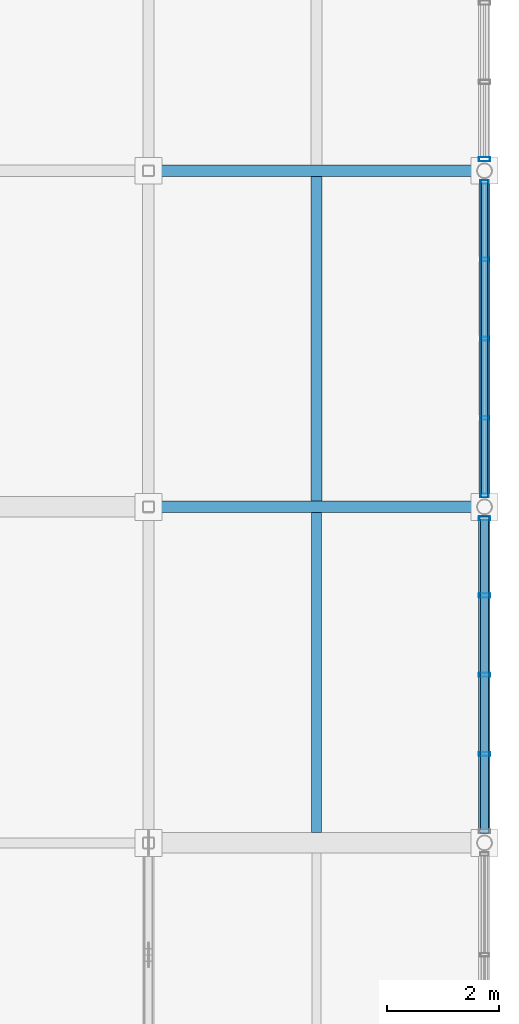
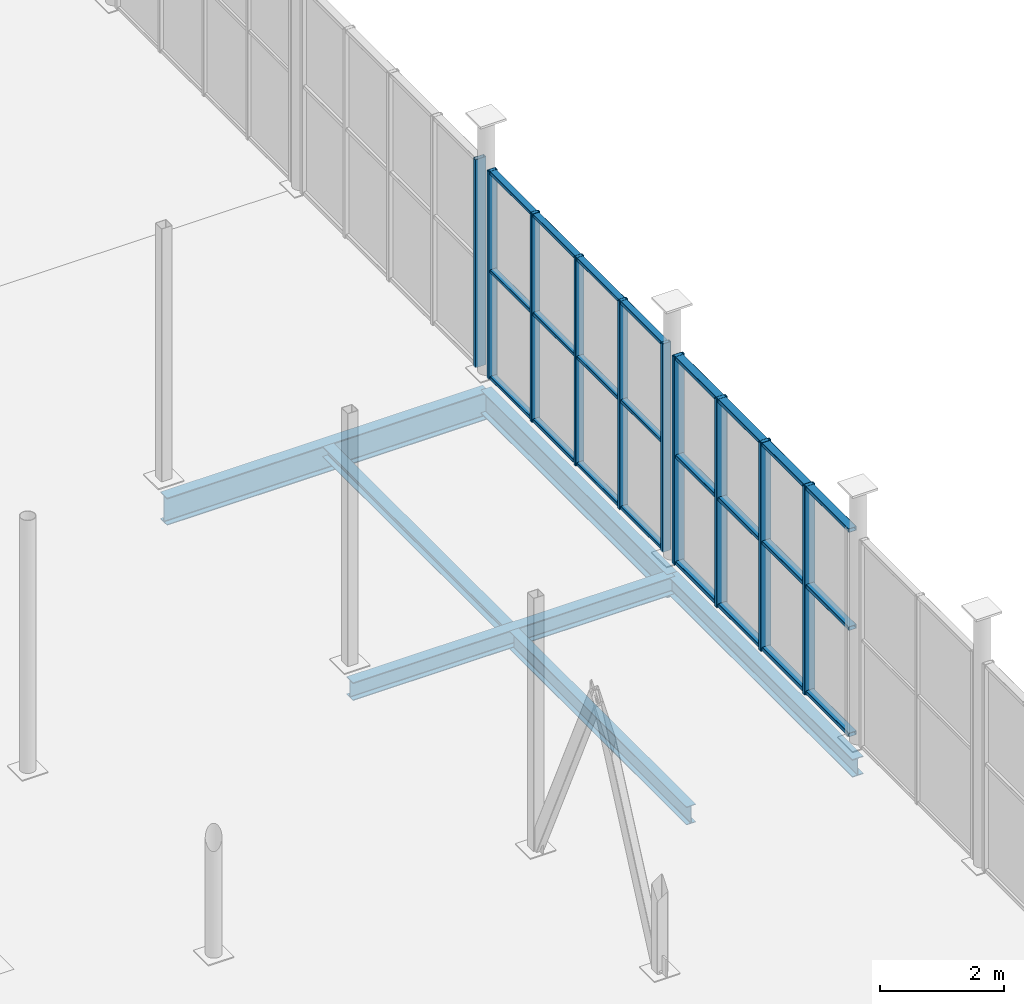
# One storey, part 13 of 27: 16 members, 6 beams, 3 elements without a shape of their own.
"""IFC4 building model written with IfcOpenShell, lengths in metres."""

from ifc_helpers import new_model, si_unit, direction, frame, origin, origin_2d, place, context, subcontext, project, spatial, hollow_rectangle, i_section, extrude, material, material_profile, profile_set, type_object, element, aggregate, save


model = new_model("IFC4")

# Units and contexts
model_context = context("Model", 3, precision=1e-05, world=origin(), true_north=direction((0.0, 1.0)))
body_context = subcontext(model_context, "Body", "Model", "MODEL_VIEW")
ifc_project = project(units=[si_unit("LENGTHUNIT", "METRE"), si_unit("AREAUNIT", "SQUARE_METRE"), si_unit("VOLUMEUNIT", "CUBIC_METRE"), si_unit("PLANEANGLEUNIT", "RADIAN"), si_unit("MASSUNIT", "GRAM", prefix="KILO")], contexts=[model_context])

# Site, building, storey
site_placement = place(None, origin())
site = spatial("IfcSite", under=ifc_project, at=site_placement, CompositionType="ELEMENT")
building_placement = place(site_placement, origin())
building = spatial("IfcBuilding", under=site, at=building_placement, Name="Verrall Gate Interchange", CompositionType="ELEMENT")
storey_placement = place(building_placement, frame((0.0, 0.0, 23.60009765625)))
storey = spatial("IfcBuildingStorey", under=building, at=storey_placement, Name="L06", CompositionType="ELEMENT", Elevation=23.60009765625)

# Beams
ifc_material_1 = material(Name="Structural Steel CSA G40.21 350W", Category="steel")
ifc_material_profile_1 = material_profile(ifc_material_1, i_section(OverallWidth=0.2109375, OverallDepth=0.5390625, WebThickness=0.01171875, FlangeThickness=0.018798828125, FilletRadius=0.013916015625, at=origin_2d()), Name="W530x109")
ifc_profile_set_1 = profile_set([ifc_material_profile_1], Name="Structural Steel CSA G40.21 350W")
beam_type_1 = type_object("IfcBeamType", Name="B-10 Structural Beam W530x109", PredefinedType="BEAM", material=ifc_profile_set_1)
beam_1_placement = place(storey_placement, frame((30.0, 28.0, -0.599609375), z_axis=(1.0, 0.0, 0.0), x_axis=(0.0, 1.0, 0.0)))
element("IfcBeam", 1, at=beam_1_placement, inside=storey, type_object=beam_type_1, Name="L06 Girder BM-L06-3080 (B-10)", PredefinedType="BEAM", context=body_context, shape_type="SweptSolid", body=[
    extrude(i_section(OverallWidth=0.2109375, OverallDepth=0.5390625, WebThickness=0.01171875, FlangeThickness=0.018798828125, FilletRadius=0.013916015625, at=origin_2d()), origin(), (0.0, 0.0, 1.0), 6.0),
])
ifc_material_2 = material(Name="Structural Steel CSA G40.21 350W", Category="steel")
ifc_material_profile_2 = material_profile(ifc_material_2, i_section(OverallWidth=0.19189453125, OverallDepth=0.462890625, WebThickness=0.010498046875, FlangeThickness=0.017578125, FilletRadius=0.012939453125, at=origin_2d()), Name="W460x89")
ifc_profile_set_2 = profile_set([ifc_material_profile_2], Name="Structural Steel CSA G40.21 350W")
beam_type_2 = type_object("IfcBeamType", Name="B-11 Structural Beam W460x89", PredefinedType="BEAM", material=ifc_profile_set_2)
beam_2_placement = place(storey_placement, frame((36.0, 22.0, -0.5615234375), z_axis=(0.0, 1.0, 0.0), x_axis=(-1.0, 0.0, 0.0)))
element("IfcBeam", 2, at=beam_2_placement, inside=storey, type_object=beam_type_2, Name="L06 Girder BM-L06-3177 (B-11)", PredefinedType="BEAM", context=body_context, shape_type="SweptSolid", body=[
    extrude(i_section(OverallWidth=0.19189453125, OverallDepth=0.462890625, WebThickness=0.010498046875, FlangeThickness=0.017578125, FilletRadius=0.012939453125, at=origin_2d()), origin(), (0.0, 0.0, 1.0), 6.0),
])
ifc_material_3 = material(Name="Structural Steel CSA G40.21 350W", Category="steel")
ifc_material_profile_3 = material_profile(ifc_material_3, i_section(OverallWidth=0.205078125, OverallDepth=0.35400390625, WebThickness=0.009521484375, FlangeThickness=0.016845703125, FilletRadius=0.012939453125, at=origin_2d()), Name="W360x79")
ifc_profile_set_3 = profile_set([ifc_material_profile_3], Name="Structural Steel CSA G40.21 350W")
beam_type_3 = type_object("IfcBeamType", Name="B-14 Structural Beam W360x79", PredefinedType="BEAM", material=ifc_profile_set_3)
for number, where, z_axis, x_axis, name in (
    (3, (30.0, 22.0, -0.507080078125), (1.0, 0.0, 0.0), (0.0, 1.0, 0.0), "L06 Girder BM-L06-3074 (B-14)"),
    (4, (36.0, 16.0, -0.507080078125), (0.0, 1.0, 0.0), (-1.0, 0.0, 0.0), "L06 Girder BM-L06-3176 (B-14)"),
):
    element("IfcBeam", number, at=place(storey_placement, frame(where, z_axis=z_axis, x_axis=x_axis)), inside=storey, type_object=beam_type_3, Name=name, PredefinedType="BEAM", context=body_context, shape_type="SweptSolid", body=[
        extrude(i_section(OverallWidth=0.205078125, OverallDepth=0.35400390625, WebThickness=0.009521484375, FlangeThickness=0.016845703125, FilletRadius=0.012939453125, at=origin_2d()), origin(), (0.0, 0.0, 1.0), 6.0),
    ])

# Curtain wall, members
ifc_material_4 = material(Name="Thermally Broken Anodized Aluminium Curtain Wall Framing", Category="aluminium")
curtain_wall_type = type_object("IfcCurtainWallType", Name="CW-45 Unitized Curtain Wall 5698x4100", PredefinedType="NOTDEFINED", material=ifc_material_4)
curtain_wall_1_placement = place(storey_placement, origin())
curtain_wall_1 = element("IfcCurtainWall", 5, at=curtain_wall_1_placement, inside=storey, type_object=curtain_wall_type, Name="L06 Unitized Curtain Wall CW-L06-146", PredefinedType="NOTDEFINED")
ifc_material_5 = material(Name="Thermally Broken Anodized Aluminium Curtain Wall Framing", Category="aluminium")
ifc_material_profile_4 = material_profile(ifc_material_5, hollow_rectangle(XDim=0.06494140625, YDim=0.159912109375, WallThickness=0.00390625, InnerFilletRadius=0.00390625, OuterFilletRadius=0.008056640625, at=origin_2d()), Name="CWM160x65x4")
ifc_profile_set_4 = profile_set([ifc_material_profile_4], Name="Thermally Broken Anodized Aluminium Curtain Wall Framing")
member_type_1 = type_object("IfcMemberType", Name="CM-01 Curtain Mullion CWM160x65x4", PredefinedType="MULLION", material=ifc_profile_set_4)
member_1_placement = place(storey_placement, frame((36.0, 22.201171875, 0.0), z_axis=(0.0, 0.0, 1.0), x_axis=(0.0, 1.0, 0.0)))
member_1 = element("IfcMember", 6, at=member_1_placement, type_object=member_type_1, Name="CW-L06-146 Mullion 1", PredefinedType="MULLION", context=body_context, shape_type="SweptSolid", body=[
    extrude(hollow_rectangle(XDim=0.06494140625, YDim=0.159912109375, WallThickness=0.00390625, InnerFilletRadius=0.00390625, OuterFilletRadius=0.008056640625, at=origin_2d()), origin(), (0.0, 0.0, 1.0), 4.099853515625),
])
member_2_placement = place(storey_placement, frame((36.0, 23.584228515625, 0.0), z_axis=(0.0, 0.0, 1.0), x_axis=(0.0, 1.0, 0.0)))
member_2 = element("IfcMember", 7, at=member_2_placement, type_object=member_type_1, Name="CW-L06-146 Mullion 2", PredefinedType="MULLION", context=body_context, shape_type="SweptSolid", body=[
    extrude(hollow_rectangle(XDim=0.06494140625, YDim=0.159912109375, WallThickness=0.00390625, InnerFilletRadius=0.00390625, OuterFilletRadius=0.008056640625, at=origin_2d()), origin(), (0.0, 0.0, 1.0), 4.099853515625),
])
member_3_placement = place(storey_placement, frame((36.0, 25.0, 0.0), z_axis=(0.0, 0.0, 1.0), x_axis=(0.0, 1.0, 0.0)))
member_3 = element("IfcMember", 8, at=member_3_placement, type_object=member_type_1, Name="CW-L06-146 Mullion 3", PredefinedType="MULLION", context=body_context, shape_type="SweptSolid", body=[
    extrude(hollow_rectangle(XDim=0.06494140625, YDim=0.159912109375, WallThickness=0.00390625, InnerFilletRadius=0.00390625, OuterFilletRadius=0.008056640625, at=origin_2d()), origin(), (0.0, 0.0, 1.0), 4.099853515625),
])
member_4_placement = place(storey_placement, frame((36.0, 26.415771484375, 0.0), z_axis=(0.0, 0.0, 1.0), x_axis=(0.0, 1.0, 0.0)))
member_4 = element("IfcMember", 9, at=member_4_placement, type_object=member_type_1, Name="CW-L06-146 Mullion 4", PredefinedType="MULLION", context=body_context, shape_type="SweptSolid", body=[
    extrude(hollow_rectangle(XDim=0.06494140625, YDim=0.159912109375, WallThickness=0.00390625, InnerFilletRadius=0.00390625, OuterFilletRadius=0.008056640625, at=origin_2d()), origin(), (0.0, 0.0, 1.0), 4.099853515625),
])
member_5_placement = place(storey_placement, frame((36.0, 27.798828125, 0.0), z_axis=(0.0, 0.0, 1.0), x_axis=(0.0, 1.0, 0.0)))
member_5 = element("IfcMember", 10, at=member_5_placement, type_object=member_type_1, Name="CW-L06-146 Mullion 5", PredefinedType="MULLION", context=body_context, shape_type="SweptSolid", body=[
    extrude(hollow_rectangle(XDim=0.06494140625, YDim=0.159912109375, WallThickness=0.00390625, InnerFilletRadius=0.00390625, OuterFilletRadius=0.008056640625, at=origin_2d()), origin(), (0.0, 0.0, 1.0), 4.099853515625),
])

curtain_wall_2_placement = place(storey_placement, origin())
curtain_wall_2 = element("IfcCurtainWall", 11, at=curtain_wall_2_placement, inside=storey, type_object=curtain_wall_type, Name="L06 Unitized Curtain Wall CW-L06-145", PredefinedType="NOTDEFINED")
ifc_material_6 = material(Name="Thermally Broken Anodized Aluminium Curtain Wall Framing", Category="aluminium")
ifc_material_profile_5 = material_profile(ifc_material_6, hollow_rectangle(XDim=0.074951171875, YDim=0.199951171875, WallThickness=0.0048828125, InnerFilletRadius=0.0048828125, OuterFilletRadius=0.010009765625, at=origin_2d()), Name="CWM200x75x5")
ifc_profile_set_5 = profile_set([ifc_material_profile_5], Name="Thermally Broken Anodized Aluminium Curtain Wall Framing")
member_type_2 = type_object("IfcMemberType", Name="CM-02 Curtain Mullion CWM200x75x5", PredefinedType="MULLION", material=ifc_profile_set_5)
member_6_placement = place(storey_placement, frame((36.0, 17.584228515625, 0.0), z_axis=(0.0, 0.0, 1.0), x_axis=(0.0, 1.0, 0.0)))
member_6 = element("IfcMember", 12, at=member_6_placement, type_object=member_type_2, Name="CW-L06-145 Mullion 2", PredefinedType="MULLION", context=body_context, shape_type="SweptSolid", body=[
    extrude(hollow_rectangle(XDim=0.074951171875, YDim=0.199951171875, WallThickness=0.0048828125, InnerFilletRadius=0.0048828125, OuterFilletRadius=0.010009765625, at=origin_2d()), origin(), (0.0, 0.0, 1.0), 4.099853515625),
])
member_7_placement = place(storey_placement, frame((36.0, 19.0, 0.0), z_axis=(0.0, 0.0, 1.0), x_axis=(0.0, 1.0, 0.0)))
member_7 = element("IfcMember", 13, at=member_7_placement, type_object=member_type_2, Name="CW-L06-145 Mullion 3", PredefinedType="MULLION", context=body_context, shape_type="SweptSolid", body=[
    extrude(hollow_rectangle(XDim=0.074951171875, YDim=0.199951171875, WallThickness=0.0048828125, InnerFilletRadius=0.0048828125, OuterFilletRadius=0.010009765625, at=origin_2d()), origin(), (0.0, 0.0, 1.0), 4.099853515625),
])
member_8_placement = place(storey_placement, frame((36.0, 20.415771484375, 0.0), z_axis=(0.0, 0.0, 1.0), x_axis=(0.0, 1.0, 0.0)))
member_8 = element("IfcMember", 14, at=member_8_placement, type_object=member_type_2, Name="CW-L06-145 Mullion 4", PredefinedType="MULLION", context=body_context, shape_type="SweptSolid", body=[
    extrude(hollow_rectangle(XDim=0.074951171875, YDim=0.199951171875, WallThickness=0.0048828125, InnerFilletRadius=0.0048828125, OuterFilletRadius=0.010009765625, at=origin_2d()), origin(), (0.0, 0.0, 1.0), 4.099853515625),
])
member_9_placement = place(storey_placement, frame((36.0, 21.7939453125, 0.0), z_axis=(0.0, 0.0, 1.0), x_axis=(0.0, 1.0, 0.0)))
member_9 = element("IfcMember", 15, at=member_9_placement, type_object=member_type_2, Name="CW-L06-145 Mullion 5", PredefinedType="MULLION", context=body_context, shape_type="SweptSolid", body=[
    extrude(hollow_rectangle(XDim=0.074951171875, YDim=0.199951171875, WallThickness=0.0048828125, InnerFilletRadius=0.0048828125, OuterFilletRadius=0.010009765625, at=origin_2d()), origin(), (0.0, 0.0, 1.0), 4.099853515625),
])

# Curtain wall, member
curtain_wall_3_placement = place(storey_placement, origin())
curtain_wall_3 = element("IfcCurtainWall", 16, at=curtain_wall_3_placement, inside=storey, type_object=curtain_wall_type, Name="L06 Unitized Curtain Wall CW-L06-147", PredefinedType="NOTDEFINED")
member_10_placement = place(storey_placement, frame((36.0, 28.2060546875, 0.0), z_axis=(0.0, 0.0, 1.0), x_axis=(0.0, 1.0, 0.0)))
member_10 = element("IfcMember", 17, at=member_10_placement, type_object=member_type_2, Name="CW-L06-147 Mullion 1", PredefinedType="MULLION", context=body_context, shape_type="SweptSolid", body=[
    extrude(hollow_rectangle(XDim=0.074951171875, YDim=0.199951171875, WallThickness=0.0048828125, InnerFilletRadius=0.0048828125, OuterFilletRadius=0.010009765625, at=origin_2d()), origin(), (0.0, 0.0, 1.0), 4.099853515625),
])
aggregate(curtain_wall_3, [member_10])

# Member
ifc_material_7 = material(Name="Thermally Broken Anodized Aluminium Curtain Wall Framing", Category="aluminium")
ifc_material_profile_6 = material_profile(ifc_material_7, hollow_rectangle(XDim=0.1201171875, YDim=0.06494140625, WallThickness=0.00390625, InnerFilletRadius=0.00390625, OuterFilletRadius=0.008056640625, at=origin_2d()), Name="CWT120x65x4")
ifc_profile_set_6 = profile_set([ifc_material_profile_6], Name="Thermally Broken Anodized Aluminium Curtain Wall Framing")
member_type_3 = type_object("IfcMemberType", Name="CT-01 Curtain Transom CWT120x65x4", PredefinedType="USERDEFINED", material=ifc_profile_set_6)
member_11_placement = place(storey_placement, frame((36.0, 22.168701171875, 0.032470703125), z_axis=(0.0, 1.0, 0.0), x_axis=(-1.0, 0.0, 0.0)))
member_11 = element("IfcMember", 18, at=member_11_placement, type_object=member_type_3, Name="CW-L06-146 Transom 1", ObjectType="TRANSOM", PredefinedType="USERDEFINED", context=body_context, shape_type="SweptSolid", body=[
    extrude(hollow_rectangle(XDim=0.1201171875, YDim=0.06494140625, WallThickness=0.00390625, InnerFilletRadius=0.00390625, OuterFilletRadius=0.008056640625, at=origin_2d()), origin(), (0.0, 0.0, 1.0), 5.66259765625),
])

member_12_placement = place(storey_placement, frame((36.0, 22.168701171875, 2.1318359375), z_axis=(0.0, 1.0, 0.0), x_axis=(-1.0, 0.0, 0.0)))
member_12 = element("IfcMember", 19, at=member_12_placement, type_object=member_type_3, Name="CW-L06-146 Transom 2", ObjectType="TRANSOM", PredefinedType="USERDEFINED", context=body_context, shape_type="SweptSolid", body=[
    extrude(hollow_rectangle(XDim=0.1201171875, YDim=0.06494140625, WallThickness=0.00390625, InnerFilletRadius=0.00390625, OuterFilletRadius=0.008056640625, at=origin_2d()), origin(), (0.0, 0.0, 1.0), 5.66259765625),
])

member_13_placement = place(storey_placement, frame((36.0, 22.168701171875, 4.0673828125), z_axis=(0.0, 1.0, 0.0), x_axis=(-1.0, 0.0, 0.0)))
member_13 = element("IfcMember", 20, at=member_13_placement, type_object=member_type_3, Name="CW-L06-146 Transom 3", ObjectType="TRANSOM", PredefinedType="USERDEFINED", context=body_context, shape_type="SweptSolid", body=[
    extrude(hollow_rectangle(XDim=0.1201171875, YDim=0.06494140625, WallThickness=0.00390625, InnerFilletRadius=0.00390625, OuterFilletRadius=0.008056640625, at=origin_2d()), origin(), (0.0, 0.0, 1.0), 5.66259765625),
])

aggregate(curtain_wall_1, [member_1, member_2, member_3, member_4, member_5, member_11, member_12, member_13])

ifc_material_8 = material(Name="Thermally Broken Anodized Aluminium Curtain Wall Framing", Category="aluminium")
ifc_material_profile_7 = material_profile(ifc_material_8, hollow_rectangle(XDim=0.14990234375, YDim=0.074951171875, WallThickness=0.00439453125, InnerFilletRadius=0.00439453125, OuterFilletRadius=0.009033203125, at=origin_2d()), Name="CWT150x75x4.5")
ifc_profile_set_7 = profile_set([ifc_material_profile_7], Name="Thermally Broken Anodized Aluminium Curtain Wall Framing")
member_type_4 = type_object("IfcMemberType", Name="CT-02 Curtain Transom CWT150x75x4.5", PredefinedType="USERDEFINED", material=ifc_profile_set_7)
member_14_placement = place(storey_placement, frame((36.0, 16.168701171875, 0.037353515625), z_axis=(0.0, 1.0, 0.0), x_axis=(-1.0, 0.0, 0.0)))
member_14 = element("IfcMember", 21, at=member_14_placement, type_object=member_type_4, Name="CW-L06-145 Transom 1", ObjectType="TRANSOM", PredefinedType="USERDEFINED", context=body_context, shape_type="SweptSolid", body=[
    extrude(hollow_rectangle(XDim=0.14990234375, YDim=0.074951171875, WallThickness=0.00439453125, InnerFilletRadius=0.00439453125, OuterFilletRadius=0.009033203125, at=origin_2d()), origin(), (0.0, 0.0, 1.0), 5.66259765625),
])

member_15_placement = place(storey_placement, frame((36.0, 16.168701171875, 2.1318359375), z_axis=(0.0, 1.0, 0.0), x_axis=(-1.0, 0.0, 0.0)))
member_15 = element("IfcMember", 22, at=member_15_placement, type_object=member_type_4, Name="CW-L06-145 Transom 2", ObjectType="TRANSOM", PredefinedType="USERDEFINED", context=body_context, shape_type="SweptSolid", body=[
    extrude(hollow_rectangle(XDim=0.14990234375, YDim=0.074951171875, WallThickness=0.00439453125, InnerFilletRadius=0.00439453125, OuterFilletRadius=0.009033203125, at=origin_2d()), origin(), (0.0, 0.0, 1.0), 5.66259765625),
])

member_16_placement = place(storey_placement, frame((36.0, 16.168701171875, 4.0625), z_axis=(0.0, 1.0, 0.0), x_axis=(-1.0, 0.0, 0.0)))
member_16 = element("IfcMember", 23, at=member_16_placement, type_object=member_type_4, Name="CW-L06-145 Transom 3", ObjectType="TRANSOM", PredefinedType="USERDEFINED", context=body_context, shape_type="SweptSolid", body=[
    extrude(hollow_rectangle(XDim=0.14990234375, YDim=0.074951171875, WallThickness=0.00439453125, InnerFilletRadius=0.00439453125, OuterFilletRadius=0.009033203125, at=origin_2d()), origin(), (0.0, 0.0, 1.0), 5.66259765625),
])

aggregate(curtain_wall_2, [member_6, member_7, member_8, member_9, member_14, member_15, member_16])

# Beams
ifc_material_9 = material(Name="Structural Steel CSA G40.21 350W", Category="steel")
ifc_material_profile_8 = material_profile(ifc_material_9, i_section(OverallWidth=0.172119140625, OverallDepth=0.35791015625, WebThickness=0.0078125, FlangeThickness=0.01318359375, FilletRadius=0.010986328125, at=origin_2d()), Name="W360x57")
ifc_profile_set_8 = profile_set([ifc_material_profile_8], Name="Structural Steel CSA G40.21 350W")
beam_type_4 = type_object("IfcBeamType", Name="J-01 Floor Joist W360x57", PredefinedType="JOIST", material=ifc_profile_set_8)
beam_3_placement = place(storey_placement, frame((33.0, 16.1845703125, -0.509033203125), z_axis=(0.0, 1.0, 0.0), x_axis=(-1.0, 0.0, 0.0)))
element("IfcBeam", 24, at=beam_3_placement, inside=storey, type_object=beam_type_4, Name="L06 Secondary Floor Joist JST-L06-3195", PredefinedType="JOIST", context=body_context, shape_type="SweptSolid", body=[
    extrude(i_section(OverallWidth=0.172119140625, OverallDepth=0.35791015625, WebThickness=0.0078125, FlangeThickness=0.01318359375, FilletRadius=0.010986328125, at=origin_2d()), origin(), (0.0, 0.0, 1.0), 5.712890625),
])
ifc_material_10 = material(Name="Structural Steel CSA G40.21 350W", Category="steel")
ifc_material_profile_9 = material_profile(ifc_material_10, i_section(OverallWidth=0.202880859375, OverallDepth=0.202880859375, WebThickness=0.007080078125, FlangeThickness=0.010986328125, FilletRadius=0.010009765625, at=origin_2d()), Name="W200x46")
ifc_profile_set_9 = profile_set([ifc_material_profile_9], Name="Structural Steel CSA G40.21 350W")
beam_type_5 = type_object("IfcBeamType", Name="J-07 Floor Joist W200x46", PredefinedType="JOIST", material=ifc_profile_set_9)
beam_4_placement = place(storey_placement, frame((33.0, 22.1025390625, -0.431640625), z_axis=(0.0, 1.0, 0.0), x_axis=(-1.0, 0.0, 0.0)))
element("IfcBeam", 25, at=beam_4_placement, inside=storey, type_object=beam_type_5, Name="L06 Secondary Floor Joist JST-L06-3199", PredefinedType="JOIST", context=body_context, shape_type="SweptSolid", body=[
    extrude(i_section(OverallWidth=0.202880859375, OverallDepth=0.202880859375, WebThickness=0.007080078125, FlangeThickness=0.010986328125, FilletRadius=0.010009765625, at=origin_2d()), origin(), (0.0, 0.0, 1.0), 5.7919921875),
])

save(model, "model.ifc")
